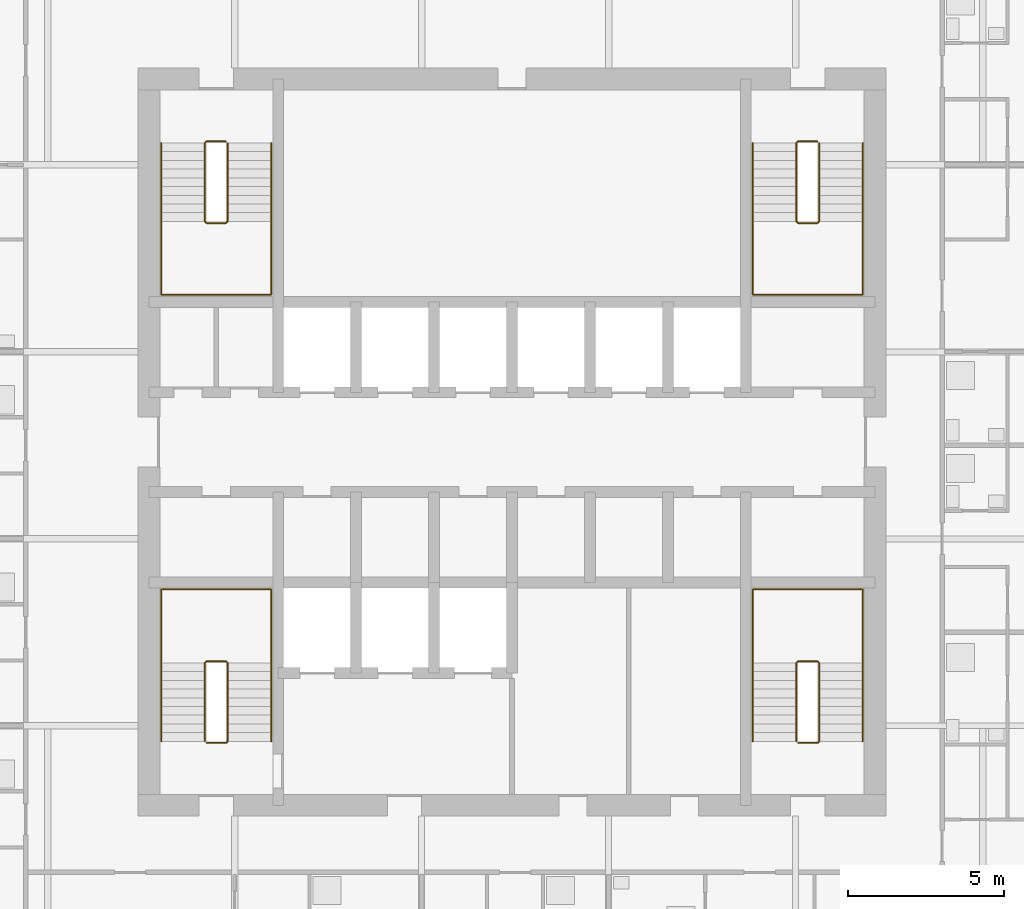
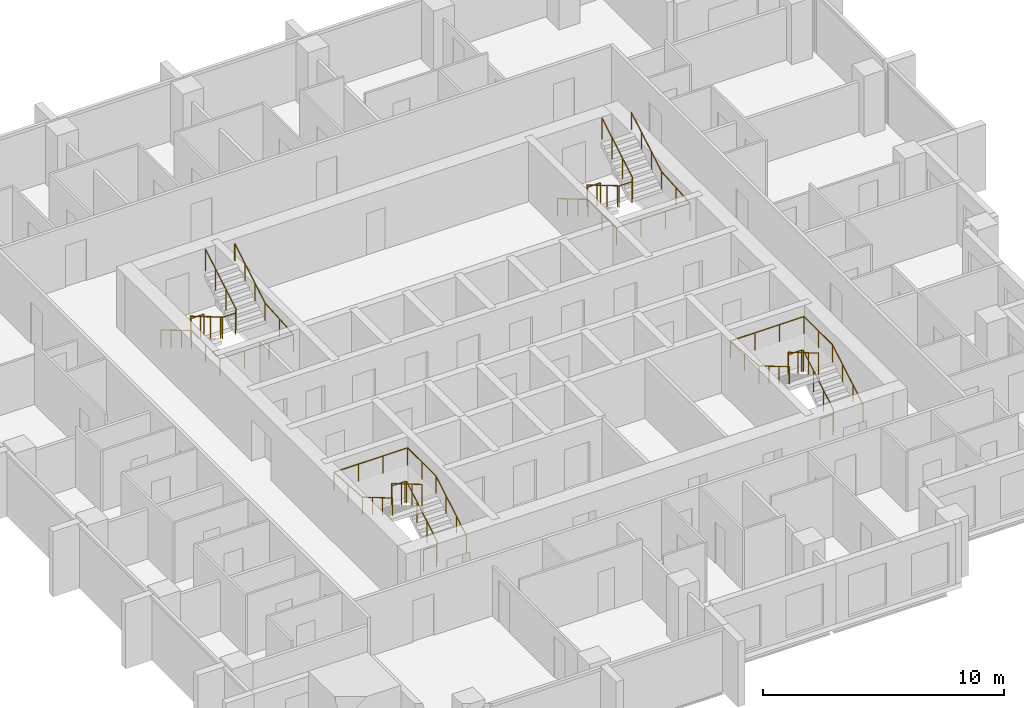
# One storey, part 9 of 10: 8 railings.
"""IFC4 building model written with IfcOpenShell, lengths in metres."""

from ifc_helpers import new_model, si_unit, direction, frame, origin, origin_2d, place, context, subcontext, project, spatial, circle, extrude, material, type_object, element, save


model = new_model("IFC4")

# Units and contexts
model_context = context("Model", 3, precision=1e-05, world=origin(), true_north=direction((0.0, 1.0)))
body_context = subcontext(model_context, "Body", "Model", "MODEL_VIEW")
ifc_project = project(units=[si_unit("LENGTHUNIT", "METRE"), si_unit("AREAUNIT", "SQUARE_METRE"), si_unit("VOLUMEUNIT", "CUBIC_METRE"), si_unit("PLANEANGLEUNIT", "RADIAN"), si_unit("MASSUNIT", "GRAM", prefix="KILO")], contexts=[model_context])

# Site, building, storey
site_placement = place(None, origin())
site = spatial("IfcSite", under=ifc_project, at=site_placement, CompositionType="ELEMENT")
building_placement = place(site_placement, origin())
building = spatial("IfcBuilding", under=site, at=building_placement, Name="Amberfall Residences", CompositionType="ELEMENT")
storey_placement = place(building_placement, frame((0.0, 0.0, 158.199951171875)))
storey = spatial("IfcBuildingStorey", under=building, at=storey_placement, Name="L42", CompositionType="ELEMENT", Elevation=158.199951171875)

# Railings
ifc_material = material(Name="Stainless steel 316", Category="steel")
railing_type_1 = type_object("IfcRailingType", Name="Stair guard 1100", PredefinedType="GUARDRAIL", material=ifc_material)
railing_1_placement = place(storey_placement, frame((64.699951171875, 35.85009765625, 0.0)))
element("IfcRailing", 1, at=railing_1_placement, inside=storey, type_object=railing_type_1, Name="L42 stair 1 guard", PredefinedType="GUARDRAIL", context=body_context, shape_type="SweptSolid", body=[
    extrude(circle(Radius=0.02392578125, at=origin_2d()), frame((0.0, 0.0, 1.076171875), z_axis=(1.0, 0.0, 0.0), x_axis=(0.0, 1.0, 0.0)), (0.0, 0.0, 1.0), 0.625),
    extrude(circle(Radius=0.02392578125, at=origin_2d()), frame((0.625, 0.0, 1.076171875), z_axis=(0.278810427259, 0.277450376394, 0.919394384522), x_axis=(-0.705375805398, 0.708833529934, 0.0)), (0.0, 0.0, 1.0), 0.179443359375),
    extrude(circle(Radius=0.02392578125, at=origin_2d()), frame((0.675048828125, 0.0498046875, 1.2412109375), z_axis=(0.0, 0.86152411907, 0.507716645641), x_axis=(-1.0, 0.0, 0.0)), (0.0, 0.0, 1.0), 2.925048828125),
    extrude(circle(Radius=0.02392578125, at=origin_2d()), frame((0.675048828125, 2.56982421875, 2.72607421875), z_axis=(-0.707106781187, 0.707106781187, 0.0), x_axis=(-0.707106781187, -0.707106781187, 0.0)), (0.0, 0.0, 1.0), 0.07080078125),
    extrude(circle(Radius=0.02392578125, at=origin_2d()), frame((0.625, 2.619873046875, 2.72607421875), z_axis=(-1.0, 0.0, 0.0), x_axis=(0.0, -1.0, 0.0)), (0.0, 0.0, 1.0), 0.625),
    extrude(circle(Radius=0.02392578125, at=origin_2d()), frame((0.0, 2.619873046875, 2.72607421875), z_axis=(-0.279053652268, -0.279053652268, 0.918835196492), x_axis=(0.707106781187, -0.707106781187, 0.0)), (0.0, 0.0, 1.0), 0.179443359375),
    extrude(circle(Radius=0.02392578125, at=origin_2d()), frame((-0.050048828125, 2.56982421875, 2.89111328125), z_axis=(0.0, -0.86152411907, 0.507716645641), x_axis=(1.0, 0.0, 0.0)), (0.0, 0.0, 1.0), 2.925048828125),
    extrude(circle(Radius=0.02099609375, at=origin_2d()), origin(), (0.0, 0.0, 1.0), 1.052001953125),
    extrude(circle(Radius=0.02099609375, at=origin_2d()), frame((0.625, 0.0, 0.0)), (0.0, 0.0, 1.0), 1.052001953125),
    extrude(circle(Radius=0.02099609375, at=origin_2d()), frame((0.675048828125, 0.0498046875, 0.1650390625)), (0.0, 0.0, 1.0), 1.052001953125),
    extrude(circle(Radius=0.02099609375, at=origin_2d()), frame((0.675048828125, 0.889892578125, 0.66015625)), (0.0, 0.0, 1.0), 1.052001953125),
    extrude(circle(Radius=0.02099609375, at=origin_2d()), frame((0.675048828125, 1.729736328125, 1.155029296875)), (0.0, 0.0, 1.0), 1.052001953125),
    extrude(circle(Radius=0.02099609375, at=origin_2d()), frame((0.675048828125, 2.56982421875, 1.650146484375)), (0.0, 0.0, 1.0), 1.052001953125),
    extrude(circle(Radius=0.02099609375, at=origin_2d()), frame((0.625, 2.619873046875, 1.650146484375)), (0.0, 0.0, 1.0), 1.052001953125),
    extrude(circle(Radius=0.02099609375, at=origin_2d()), frame((0.0, 2.619873046875, 1.650146484375)), (0.0, 0.0, 1.0), 1.052001953125),
    extrude(circle(Radius=0.02099609375, at=origin_2d()), frame((-0.050048828125, 2.56982421875, 1.81494140625)), (0.0, 0.0, 1.0), 1.052001953125),
    extrude(circle(Radius=0.02099609375, at=origin_2d()), frame((-0.050048828125, 1.729736328125, 2.31005859375)), (0.0, 0.0, 1.0), 1.052001953125),
    extrude(circle(Radius=0.02099609375, at=origin_2d()), frame((-0.050048828125, 0.889892578125, 2.804931640625)), (0.0, 0.0, 1.0), 1.052001953125),
    extrude(circle(Radius=0.02099609375, at=origin_2d()), frame((-0.050048828125, 0.0498046875, 3.300048828125)), (0.0, 0.0, 1.0), 1.052001953125),
])
railing_2_placement = place(storey_placement, frame((83.675048828125, 35.85009765625, 0.0)))
element("IfcRailing", 2, at=railing_2_placement, inside=storey, type_object=railing_type_1, Name="L42 stair 2 guard", PredefinedType="GUARDRAIL", context=body_context, shape_type="SweptSolid", body=[
    extrude(circle(Radius=0.02392578125, at=origin_2d()), frame((0.0, 0.0, 1.076171875), z_axis=(1.0, 0.0, 0.0), x_axis=(0.0, 1.0, 0.0)), (0.0, 0.0, 1.0), 0.625),
    extrude(circle(Radius=0.02392578125, at=origin_2d()), frame((0.625, 0.0, 1.076171875), z_axis=(0.278810427259, 0.277450376394, 0.919394384522), x_axis=(-0.705375805398, 0.708833529934, 0.0)), (0.0, 0.0, 1.0), 0.179443359375),
    extrude(circle(Radius=0.02392578125, at=origin_2d()), frame((0.675048828125, 0.0498046875, 1.2412109375), z_axis=(0.0, 0.86152411907, 0.507716645641), x_axis=(-1.0, 0.0, 0.0)), (0.0, 0.0, 1.0), 2.925048828125),
    extrude(circle(Radius=0.02392578125, at=origin_2d()), frame((0.675048828125, 2.56982421875, 2.72607421875), z_axis=(-0.707106781187, 0.707106781187, 0.0), x_axis=(-0.707106781187, -0.707106781187, 0.0)), (0.0, 0.0, 1.0), 0.07080078125),
    extrude(circle(Radius=0.02392578125, at=origin_2d()), frame((0.625, 2.619873046875, 2.72607421875), z_axis=(-1.0, 0.0, 0.0), x_axis=(0.0, -1.0, 0.0)), (0.0, 0.0, 1.0), 0.625),
    extrude(circle(Radius=0.02392578125, at=origin_2d()), frame((0.0, 2.619873046875, 2.72607421875), z_axis=(-0.279053652268, -0.279053652268, 0.918835196492), x_axis=(0.707106781187, -0.707106781187, 0.0)), (0.0, 0.0, 1.0), 0.179443359375),
    extrude(circle(Radius=0.02392578125, at=origin_2d()), frame((-0.050048828125, 2.56982421875, 2.89111328125), z_axis=(0.0, -0.86152411907, 0.507716645641), x_axis=(1.0, 0.0, 0.0)), (0.0, 0.0, 1.0), 2.925048828125),
    extrude(circle(Radius=0.02099609375, at=origin_2d()), origin(), (0.0, 0.0, 1.0), 1.052001953125),
    extrude(circle(Radius=0.02099609375, at=origin_2d()), frame((0.625, 0.0, 0.0)), (0.0, 0.0, 1.0), 1.052001953125),
    extrude(circle(Radius=0.02099609375, at=origin_2d()), frame((0.675048828125, 0.0498046875, 0.1650390625)), (0.0, 0.0, 1.0), 1.052001953125),
    extrude(circle(Radius=0.02099609375, at=origin_2d()), frame((0.675048828125, 0.889892578125, 0.66015625)), (0.0, 0.0, 1.0), 1.052001953125),
    extrude(circle(Radius=0.02099609375, at=origin_2d()), frame((0.675048828125, 1.729736328125, 1.155029296875)), (0.0, 0.0, 1.0), 1.052001953125),
    extrude(circle(Radius=0.02099609375, at=origin_2d()), frame((0.675048828125, 2.56982421875, 1.650146484375)), (0.0, 0.0, 1.0), 1.052001953125),
    extrude(circle(Radius=0.02099609375, at=origin_2d()), frame((0.625, 2.619873046875, 1.650146484375)), (0.0, 0.0, 1.0), 1.052001953125),
    extrude(circle(Radius=0.02099609375, at=origin_2d()), frame((0.0, 2.619873046875, 1.650146484375)), (0.0, 0.0, 1.0), 1.052001953125),
    extrude(circle(Radius=0.02099609375, at=origin_2d()), frame((-0.050048828125, 2.56982421875, 1.81494140625)), (0.0, 0.0, 1.0), 1.052001953125),
    extrude(circle(Radius=0.02099609375, at=origin_2d()), frame((-0.050048828125, 1.729736328125, 2.31005859375)), (0.0, 0.0, 1.0), 1.052001953125),
    extrude(circle(Radius=0.02099609375, at=origin_2d()), frame((-0.050048828125, 0.889892578125, 2.804931640625)), (0.0, 0.0, 1.0), 1.052001953125),
    extrude(circle(Radius=0.02099609375, at=origin_2d()), frame((-0.050048828125, 0.0498046875, 3.300048828125)), (0.0, 0.0, 1.0), 1.052001953125),
])
railing_3_placement = place(storey_placement, frame((84.300048828125, 55.14990234375, 0.0)))
element("IfcRailing", 3, at=railing_3_placement, inside=storey, type_object=railing_type_1, Name="L42 stair 3 guard", PredefinedType="GUARDRAIL", context=body_context, shape_type="SweptSolid", body=[
    extrude(circle(Radius=0.02392578125, at=origin_2d()), frame((0.0, 0.0, 1.076171875), z_axis=(-1.0, 0.0, 0.0), x_axis=(0.0, -1.0, 0.0)), (0.0, 0.0, 1.0), 0.625),
    extrude(circle(Radius=0.02392578125, at=origin_2d()), frame((-0.625, 0.0, 1.076171875), z_axis=(-0.278810427259, -0.277450376394, 0.919394384522), x_axis=(0.705375805398, -0.708833529934, 0.0)), (0.0, 0.0, 1.0), 0.179443359375),
    extrude(circle(Radius=0.02392578125, at=origin_2d()), frame((-0.675048828125, -0.0498046875, 1.2412109375), z_axis=(0.0, -0.86152411907, 0.507716645641), x_axis=(1.0, 0.0, 0.0)), (0.0, 0.0, 1.0), 2.925048828125),
    extrude(circle(Radius=0.02392578125, at=origin_2d()), frame((-0.675048828125, -2.56982421875, 2.72607421875), z_axis=(0.707106781187, -0.707106781187, 0.0), x_axis=(0.707106781187, 0.707106781187, 0.0)), (0.0, 0.0, 1.0), 0.07080078125),
    extrude(circle(Radius=0.02392578125, at=origin_2d()), frame((-0.625, -2.619873046875, 2.72607421875), z_axis=(1.0, 0.0, 0.0), x_axis=(0.0, 1.0, 0.0)), (0.0, 0.0, 1.0), 0.625),
    extrude(circle(Radius=0.02392578125, at=origin_2d()), frame((0.0, -2.619873046875, 2.72607421875), z_axis=(0.279053652268, 0.279053652268, 0.918835196492), x_axis=(-0.707106781187, 0.707106781187, 0.0)), (0.0, 0.0, 1.0), 0.179443359375),
    extrude(circle(Radius=0.02392578125, at=origin_2d()), frame((0.050048828125, -2.56982421875, 2.89111328125), z_axis=(0.0, 0.86152411907, 0.507716645641), x_axis=(-1.0, 0.0, 0.0)), (0.0, 0.0, 1.0), 2.925048828125),
    extrude(circle(Radius=0.02099609375, at=origin_2d()), origin(), (0.0, 0.0, 1.0), 1.052001953125),
    extrude(circle(Radius=0.02099609375, at=origin_2d()), frame((-0.625, 0.0, 0.0)), (0.0, 0.0, 1.0), 1.052001953125),
    extrude(circle(Radius=0.02099609375, at=origin_2d()), frame((-0.675048828125, -0.0498046875, 0.1650390625)), (0.0, 0.0, 1.0), 1.052001953125),
    extrude(circle(Radius=0.02099609375, at=origin_2d()), frame((-0.675048828125, -0.889892578125, 0.66015625)), (0.0, 0.0, 1.0), 1.052001953125),
    extrude(circle(Radius=0.02099609375, at=origin_2d()), frame((-0.675048828125, -1.729736328125, 1.155029296875)), (0.0, 0.0, 1.0), 1.052001953125),
    extrude(circle(Radius=0.02099609375, at=origin_2d()), frame((-0.675048828125, -2.56982421875, 1.650146484375)), (0.0, 0.0, 1.0), 1.052001953125),
    extrude(circle(Radius=0.02099609375, at=origin_2d()), frame((-0.625, -2.619873046875, 1.650146484375)), (0.0, 0.0, 1.0), 1.052001953125),
    extrude(circle(Radius=0.02099609375, at=origin_2d()), frame((0.0, -2.619873046875, 1.650146484375)), (0.0, 0.0, 1.0), 1.052001953125),
    extrude(circle(Radius=0.02099609375, at=origin_2d()), frame((0.050048828125, -2.56982421875, 1.81494140625)), (0.0, 0.0, 1.0), 1.052001953125),
    extrude(circle(Radius=0.02099609375, at=origin_2d()), frame((0.050048828125, -1.729736328125, 2.31005859375)), (0.0, 0.0, 1.0), 1.052001953125),
    extrude(circle(Radius=0.02099609375, at=origin_2d()), frame((0.050048828125, -0.889892578125, 2.804931640625)), (0.0, 0.0, 1.0), 1.052001953125),
    extrude(circle(Radius=0.02099609375, at=origin_2d()), frame((0.050048828125, -0.0498046875, 3.300048828125)), (0.0, 0.0, 1.0), 1.052001953125),
])
railing_4_placement = place(storey_placement, frame((65.324951171875, 55.14990234375, 0.0)))
element("IfcRailing", 4, at=railing_4_placement, inside=storey, type_object=railing_type_1, Name="L42 stair 4 guard", PredefinedType="GUARDRAIL", context=body_context, shape_type="SweptSolid", body=[
    extrude(circle(Radius=0.02392578125, at=origin_2d()), frame((0.0, 0.0, 1.076171875), z_axis=(-1.0, 0.0, 0.0), x_axis=(0.0, -1.0, 0.0)), (0.0, 0.0, 1.0), 0.625),
    extrude(circle(Radius=0.02392578125, at=origin_2d()), frame((-0.625, 0.0, 1.076171875), z_axis=(-0.278810427259, -0.277450376394, 0.919394384522), x_axis=(0.705375805398, -0.708833529934, 0.0)), (0.0, 0.0, 1.0), 0.179443359375),
    extrude(circle(Radius=0.02392578125, at=origin_2d()), frame((-0.675048828125, -0.0498046875, 1.2412109375), z_axis=(0.0, -0.86152411907, 0.507716645641), x_axis=(1.0, 0.0, 0.0)), (0.0, 0.0, 1.0), 2.925048828125),
    extrude(circle(Radius=0.02392578125, at=origin_2d()), frame((-0.675048828125, -2.56982421875, 2.72607421875), z_axis=(0.707106781187, -0.707106781187, 0.0), x_axis=(0.707106781187, 0.707106781187, 0.0)), (0.0, 0.0, 1.0), 0.07080078125),
    extrude(circle(Radius=0.02392578125, at=origin_2d()), frame((-0.625, -2.619873046875, 2.72607421875), z_axis=(1.0, 0.0, 0.0), x_axis=(0.0, 1.0, 0.0)), (0.0, 0.0, 1.0), 0.625),
    extrude(circle(Radius=0.02392578125, at=origin_2d()), frame((0.0, -2.619873046875, 2.72607421875), z_axis=(0.279053652268, 0.279053652268, 0.918835196492), x_axis=(-0.707106781187, 0.707106781187, 0.0)), (0.0, 0.0, 1.0), 0.179443359375),
    extrude(circle(Radius=0.02392578125, at=origin_2d()), frame((0.050048828125, -2.56982421875, 2.89111328125), z_axis=(0.0, 0.86152411907, 0.507716645641), x_axis=(-1.0, 0.0, 0.0)), (0.0, 0.0, 1.0), 2.925048828125),
    extrude(circle(Radius=0.02099609375, at=origin_2d()), origin(), (0.0, 0.0, 1.0), 1.052001953125),
    extrude(circle(Radius=0.02099609375, at=origin_2d()), frame((-0.625, 0.0, 0.0)), (0.0, 0.0, 1.0), 1.052001953125),
    extrude(circle(Radius=0.02099609375, at=origin_2d()), frame((-0.675048828125, -0.0498046875, 0.1650390625)), (0.0, 0.0, 1.0), 1.052001953125),
    extrude(circle(Radius=0.02099609375, at=origin_2d()), frame((-0.675048828125, -0.889892578125, 0.66015625)), (0.0, 0.0, 1.0), 1.052001953125),
    extrude(circle(Radius=0.02099609375, at=origin_2d()), frame((-0.675048828125, -1.729736328125, 1.155029296875)), (0.0, 0.0, 1.0), 1.052001953125),
    extrude(circle(Radius=0.02099609375, at=origin_2d()), frame((-0.675048828125, -2.56982421875, 1.650146484375)), (0.0, 0.0, 1.0), 1.052001953125),
    extrude(circle(Radius=0.02099609375, at=origin_2d()), frame((-0.625, -2.619873046875, 1.650146484375)), (0.0, 0.0, 1.0), 1.052001953125),
    extrude(circle(Radius=0.02099609375, at=origin_2d()), frame((0.0, -2.619873046875, 1.650146484375)), (0.0, 0.0, 1.0), 1.052001953125),
    extrude(circle(Radius=0.02099609375, at=origin_2d()), frame((0.050048828125, -2.56982421875, 1.81494140625)), (0.0, 0.0, 1.0), 1.052001953125),
    extrude(circle(Radius=0.02099609375, at=origin_2d()), frame((0.050048828125, -1.729736328125, 2.31005859375)), (0.0, 0.0, 1.0), 1.052001953125),
    extrude(circle(Radius=0.02099609375, at=origin_2d()), frame((0.050048828125, -0.889892578125, 2.804931640625)), (0.0, 0.0, 1.0), 1.052001953125),
    extrude(circle(Radius=0.02099609375, at=origin_2d()), frame((0.050048828125, -0.0498046875, 3.300048828125)), (0.0, 0.0, 1.0), 1.052001953125),
])
railing_type_2 = type_object("IfcRailingType", Name="Stair handrail 900", PredefinedType="HANDRAIL", material=ifc_material)
railing_5_placement = place(storey_placement, frame((66.77490234375, 35.89990234375, 0.1650390625)))
element("IfcRailing", 5, at=railing_5_placement, inside=storey, type_object=railing_type_2, Name="L42 stair 1 handrail", PredefinedType="HANDRAIL", context=body_context, shape_type="SweptSolid", body=[
    extrude(circle(Radius=0.02392578125, at=origin_2d()), frame((0.0, 0.0, 0.8759765625), z_axis=(0.0, 0.86152411907, 0.507716645641), x_axis=(-1.0, 0.0, 0.0)), (0.0, 0.0, 1.0), 2.925048828125),
    extrude(circle(Radius=0.02392578125, at=origin_2d()), frame((0.0, 2.52001953125, 2.36083984375), z_axis=(0.0, 1.0, 0.0), x_axis=(-1.0, 0.0, 0.0)), (0.0, 0.0, 1.0), 2.35498046875),
    extrude(circle(Radius=0.02392578125, at=origin_2d()), frame((0.0, 4.875, 2.36083984375), z_axis=(-1.0, 0.0, 0.0), x_axis=(0.0, -1.0, 0.0)), (0.0, 0.0, 1.0), 3.52490234375),
    extrude(circle(Radius=0.02392578125, at=origin_2d()), frame((-3.52490234375, 4.875, 2.36083984375), z_axis=(0.0, -0.997560551741, 0.069806486878), x_axis=(1.0, 0.0, 0.0)), (0.0, 0.0, 1.0), 2.36083984375),
    extrude(circle(Radius=0.02392578125, at=origin_2d()), frame((-3.52490234375, 2.52001953125, 2.52587890625), z_axis=(0.0, -0.86152411907, 0.507716645641), x_axis=(1.0, 0.0, 0.0)), (0.0, 0.0, 1.0), 2.925048828125),
    extrude(circle(Radius=0.02099609375, at=origin_2d()), origin(), (0.0, 0.0, 1.0), 0.851806640625),
    extrude(circle(Radius=0.02099609375, at=origin_2d()), frame((0.0, 0.840087890625, 0.4951171875)), (0.0, 0.0, 1.0), 0.851806640625),
    extrude(circle(Radius=0.02099609375, at=origin_2d()), frame((0.0, 1.679931640625, 0.989990234375)), (0.0, 0.0, 1.0), 0.851806640625),
    extrude(circle(Radius=0.02099609375, at=origin_2d()), frame((0.0, 2.52001953125, 1.485107421875)), (0.0, 0.0, 1.0), 0.851806640625),
    extrude(circle(Radius=0.02099609375, at=origin_2d()), frame((0.0, 3.697509765625, 1.485107421875)), (0.0, 0.0, 1.0), 0.851806640625),
    extrude(circle(Radius=0.02099609375, at=origin_2d()), frame((0.0, 4.875, 1.485107421875)), (0.0, 0.0, 1.0), 0.851806640625),
    extrude(circle(Radius=0.02099609375, at=origin_2d()), frame((-1.175048828125, 4.875, 1.485107421875)), (0.0, 0.0, 1.0), 0.851806640625),
    extrude(circle(Radius=0.02099609375, at=origin_2d()), frame((-2.349853515625, 4.875, 1.485107421875)), (0.0, 0.0, 1.0), 0.851806640625),
    extrude(circle(Radius=0.02099609375, at=origin_2d()), frame((-3.52490234375, 4.875, 1.485107421875)), (0.0, 0.0, 1.0), 0.851806640625),
    extrude(circle(Radius=0.02099609375, at=origin_2d()), frame((-3.52490234375, 3.697509765625, 1.5673828125)), (0.0, 0.0, 1.0), 0.851806640625),
    extrude(circle(Radius=0.02099609375, at=origin_2d()), frame((-3.52490234375, 2.52001953125, 1.64990234375)), (0.0, 0.0, 1.0), 0.851806640625),
    extrude(circle(Radius=0.02099609375, at=origin_2d()), frame((-3.52490234375, 1.679931640625, 2.14501953125)), (0.0, 0.0, 1.0), 0.851806640625),
    extrude(circle(Radius=0.02099609375, at=origin_2d()), frame((-3.52490234375, 0.840087890625, 2.639892578125)), (0.0, 0.0, 1.0), 0.851806640625),
    extrude(circle(Radius=0.02099609375, at=origin_2d()), frame((-3.52490234375, 0.0, 3.135009765625)), (0.0, 0.0, 1.0), 0.851806640625),
])
railing_6_placement = place(storey_placement, frame((85.75, 35.89990234375, 0.1650390625)))
element("IfcRailing", 6, at=railing_6_placement, inside=storey, type_object=railing_type_2, Name="L42 stair 2 handrail", PredefinedType="HANDRAIL", context=body_context, shape_type="SweptSolid", body=[
    extrude(circle(Radius=0.02392578125, at=origin_2d()), frame((0.0, 0.0, 0.8759765625), z_axis=(0.0, 0.86152411907, 0.507716645641), x_axis=(-1.0, 0.0, 0.0)), (0.0, 0.0, 1.0), 2.925048828125),
    extrude(circle(Radius=0.02392578125, at=origin_2d()), frame((0.0, 2.52001953125, 2.36083984375), z_axis=(0.0, 1.0, 0.0), x_axis=(-1.0, 0.0, 0.0)), (0.0, 0.0, 1.0), 2.35498046875),
    extrude(circle(Radius=0.02392578125, at=origin_2d()), frame((0.0, 4.875, 2.36083984375), z_axis=(-1.0, 0.0, 0.0), x_axis=(0.0, -1.0, 0.0)), (0.0, 0.0, 1.0), 3.52490234375),
    extrude(circle(Radius=0.02392578125, at=origin_2d()), frame((-3.52490234375, 4.875, 2.36083984375), z_axis=(0.0, -0.997560551741, 0.069806486878), x_axis=(1.0, 0.0, 0.0)), (0.0, 0.0, 1.0), 2.36083984375),
    extrude(circle(Radius=0.02392578125, at=origin_2d()), frame((-3.52490234375, 2.52001953125, 2.52587890625), z_axis=(0.0, -0.86152411907, 0.507716645641), x_axis=(1.0, 0.0, 0.0)), (0.0, 0.0, 1.0), 2.925048828125),
    extrude(circle(Radius=0.02099609375, at=origin_2d()), origin(), (0.0, 0.0, 1.0), 0.851806640625),
    extrude(circle(Radius=0.02099609375, at=origin_2d()), frame((0.0, 0.840087890625, 0.4951171875)), (0.0, 0.0, 1.0), 0.851806640625),
    extrude(circle(Radius=0.02099609375, at=origin_2d()), frame((0.0, 1.679931640625, 0.989990234375)), (0.0, 0.0, 1.0), 0.851806640625),
    extrude(circle(Radius=0.02099609375, at=origin_2d()), frame((0.0, 2.52001953125, 1.485107421875)), (0.0, 0.0, 1.0), 0.851806640625),
    extrude(circle(Radius=0.02099609375, at=origin_2d()), frame((0.0, 3.697509765625, 1.485107421875)), (0.0, 0.0, 1.0), 0.851806640625),
    extrude(circle(Radius=0.02099609375, at=origin_2d()), frame((0.0, 4.875, 1.485107421875)), (0.0, 0.0, 1.0), 0.851806640625),
    extrude(circle(Radius=0.02099609375, at=origin_2d()), frame((-1.175048828125, 4.875, 1.485107421875)), (0.0, 0.0, 1.0), 0.851806640625),
    extrude(circle(Radius=0.02099609375, at=origin_2d()), frame((-2.349853515625, 4.875, 1.485107421875)), (0.0, 0.0, 1.0), 0.851806640625),
    extrude(circle(Radius=0.02099609375, at=origin_2d()), frame((-3.52490234375, 4.875, 1.485107421875)), (0.0, 0.0, 1.0), 0.851806640625),
    extrude(circle(Radius=0.02099609375, at=origin_2d()), frame((-3.52490234375, 3.697509765625, 1.5673828125)), (0.0, 0.0, 1.0), 0.851806640625),
    extrude(circle(Radius=0.02099609375, at=origin_2d()), frame((-3.52490234375, 2.52001953125, 1.64990234375)), (0.0, 0.0, 1.0), 0.851806640625),
    extrude(circle(Radius=0.02099609375, at=origin_2d()), frame((-3.52490234375, 1.679931640625, 2.14501953125)), (0.0, 0.0, 1.0), 0.851806640625),
    extrude(circle(Radius=0.02099609375, at=origin_2d()), frame((-3.52490234375, 0.840087890625, 2.639892578125)), (0.0, 0.0, 1.0), 0.851806640625),
    extrude(circle(Radius=0.02099609375, at=origin_2d()), frame((-3.52490234375, 0.0, 3.135009765625)), (0.0, 0.0, 1.0), 0.851806640625),
])
railing_7_placement = place(storey_placement, frame((82.22509765625, 55.10009765625, 0.1650390625)))
element("IfcRailing", 7, at=railing_7_placement, inside=storey, type_object=railing_type_2, Name="L42 stair 3 handrail", PredefinedType="HANDRAIL", context=body_context, shape_type="SweptSolid", body=[
    extrude(circle(Radius=0.02392578125, at=origin_2d()), frame((0.0, 0.0, 0.8759765625), z_axis=(0.0, -0.86152411907, 0.507716645641), x_axis=(1.0, 0.0, 0.0)), (0.0, 0.0, 1.0), 2.925048828125),
    extrude(circle(Radius=0.02392578125, at=origin_2d()), frame((0.0, -2.52001953125, 2.36083984375), z_axis=(0.0, -1.0, 0.0), x_axis=(1.0, 0.0, 0.0)), (0.0, 0.0, 1.0), 2.35498046875),
    extrude(circle(Radius=0.02392578125, at=origin_2d()), frame((0.0, -4.875, 2.36083984375), z_axis=(1.0, 0.0, 0.0), x_axis=(0.0, 1.0, 0.0)), (0.0, 0.0, 1.0), 3.52490234375),
    extrude(circle(Radius=0.02392578125, at=origin_2d()), frame((3.52490234375, -4.875, 2.36083984375), z_axis=(0.0, 0.997560551741, 0.069806486878), x_axis=(-1.0, 0.0, 0.0)), (0.0, 0.0, 1.0), 2.36083984375),
    extrude(circle(Radius=0.02392578125, at=origin_2d()), frame((3.52490234375, -2.52001953125, 2.52587890625), z_axis=(0.0, 0.86152411907, 0.507716645641), x_axis=(-1.0, 0.0, 0.0)), (0.0, 0.0, 1.0), 2.925048828125),
    extrude(circle(Radius=0.02099609375, at=origin_2d()), origin(), (0.0, 0.0, 1.0), 0.851806640625),
    extrude(circle(Radius=0.02099609375, at=origin_2d()), frame((0.0, -0.840087890625, 0.4951171875)), (0.0, 0.0, 1.0), 0.851806640625),
    extrude(circle(Radius=0.02099609375, at=origin_2d()), frame((0.0, -1.679931640625, 0.989990234375)), (0.0, 0.0, 1.0), 0.851806640625),
    extrude(circle(Radius=0.02099609375, at=origin_2d()), frame((0.0, -2.52001953125, 1.485107421875)), (0.0, 0.0, 1.0), 0.851806640625),
    extrude(circle(Radius=0.02099609375, at=origin_2d()), frame((0.0, -3.697509765625, 1.485107421875)), (0.0, 0.0, 1.0), 0.851806640625),
    extrude(circle(Radius=0.02099609375, at=origin_2d()), frame((0.0, -4.875, 1.485107421875)), (0.0, 0.0, 1.0), 0.851806640625),
    extrude(circle(Radius=0.02099609375, at=origin_2d()), frame((1.175048828125, -4.875, 1.485107421875)), (0.0, 0.0, 1.0), 0.851806640625),
    extrude(circle(Radius=0.02099609375, at=origin_2d()), frame((2.349853515625, -4.875, 1.485107421875)), (0.0, 0.0, 1.0), 0.851806640625),
    extrude(circle(Radius=0.02099609375, at=origin_2d()), frame((3.52490234375, -4.875, 1.485107421875)), (0.0, 0.0, 1.0), 0.851806640625),
    extrude(circle(Radius=0.02099609375, at=origin_2d()), frame((3.52490234375, -3.697509765625, 1.5673828125)), (0.0, 0.0, 1.0), 0.851806640625),
    extrude(circle(Radius=0.02099609375, at=origin_2d()), frame((3.52490234375, -2.52001953125, 1.64990234375)), (0.0, 0.0, 1.0), 0.851806640625),
    extrude(circle(Radius=0.02099609375, at=origin_2d()), frame((3.52490234375, -1.679931640625, 2.14501953125)), (0.0, 0.0, 1.0), 0.851806640625),
    extrude(circle(Radius=0.02099609375, at=origin_2d()), frame((3.52490234375, -0.840087890625, 2.639892578125)), (0.0, 0.0, 1.0), 0.851806640625),
    extrude(circle(Radius=0.02099609375, at=origin_2d()), frame((3.52490234375, 0.0, 3.135009765625)), (0.0, 0.0, 1.0), 0.851806640625),
])
railing_8_placement = place(storey_placement, frame((63.25, 55.10009765625, 0.1650390625)))
element("IfcRailing", 8, at=railing_8_placement, inside=storey, type_object=railing_type_2, Name="L42 stair 4 handrail", PredefinedType="HANDRAIL", context=body_context, shape_type="SweptSolid", body=[
    extrude(circle(Radius=0.02392578125, at=origin_2d()), frame((0.0, 0.0, 0.8759765625), z_axis=(0.0, -0.86152411907, 0.507716645641), x_axis=(1.0, 0.0, 0.0)), (0.0, 0.0, 1.0), 2.925048828125),
    extrude(circle(Radius=0.02392578125, at=origin_2d()), frame((0.0, -2.52001953125, 2.36083984375), z_axis=(0.0, -1.0, 0.0), x_axis=(1.0, 0.0, 0.0)), (0.0, 0.0, 1.0), 2.35498046875),
    extrude(circle(Radius=0.02392578125, at=origin_2d()), frame((0.0, -4.875, 2.36083984375), z_axis=(1.0, 0.0, 0.0), x_axis=(0.0, 1.0, 0.0)), (0.0, 0.0, 1.0), 3.52490234375),
    extrude(circle(Radius=0.02392578125, at=origin_2d()), frame((3.52490234375, -4.875, 2.36083984375), z_axis=(0.0, 0.997560551741, 0.069806486878), x_axis=(-1.0, 0.0, 0.0)), (0.0, 0.0, 1.0), 2.36083984375),
    extrude(circle(Radius=0.02392578125, at=origin_2d()), frame((3.52490234375, -2.52001953125, 2.52587890625), z_axis=(0.0, 0.86152411907, 0.507716645641), x_axis=(-1.0, 0.0, 0.0)), (0.0, 0.0, 1.0), 2.925048828125),
    extrude(circle(Radius=0.02099609375, at=origin_2d()), origin(), (0.0, 0.0, 1.0), 0.851806640625),
    extrude(circle(Radius=0.02099609375, at=origin_2d()), frame((0.0, -0.840087890625, 0.4951171875)), (0.0, 0.0, 1.0), 0.851806640625),
    extrude(circle(Radius=0.02099609375, at=origin_2d()), frame((0.0, -1.679931640625, 0.989990234375)), (0.0, 0.0, 1.0), 0.851806640625),
    extrude(circle(Radius=0.02099609375, at=origin_2d()), frame((0.0, -2.52001953125, 1.485107421875)), (0.0, 0.0, 1.0), 0.851806640625),
    extrude(circle(Radius=0.02099609375, at=origin_2d()), frame((0.0, -3.697509765625, 1.485107421875)), (0.0, 0.0, 1.0), 0.851806640625),
    extrude(circle(Radius=0.02099609375, at=origin_2d()), frame((0.0, -4.875, 1.485107421875)), (0.0, 0.0, 1.0), 0.851806640625),
    extrude(circle(Radius=0.02099609375, at=origin_2d()), frame((1.175048828125, -4.875, 1.485107421875)), (0.0, 0.0, 1.0), 0.851806640625),
    extrude(circle(Radius=0.02099609375, at=origin_2d()), frame((2.349853515625, -4.875, 1.485107421875)), (0.0, 0.0, 1.0), 0.851806640625),
    extrude(circle(Radius=0.02099609375, at=origin_2d()), frame((3.52490234375, -4.875, 1.485107421875)), (0.0, 0.0, 1.0), 0.851806640625),
    extrude(circle(Radius=0.02099609375, at=origin_2d()), frame((3.52490234375, -3.697509765625, 1.5673828125)), (0.0, 0.0, 1.0), 0.851806640625),
    extrude(circle(Radius=0.02099609375, at=origin_2d()), frame((3.52490234375, -2.52001953125, 1.64990234375)), (0.0, 0.0, 1.0), 0.851806640625),
    extrude(circle(Radius=0.02099609375, at=origin_2d()), frame((3.52490234375, -1.679931640625, 2.14501953125)), (0.0, 0.0, 1.0), 0.851806640625),
    extrude(circle(Radius=0.02099609375, at=origin_2d()), frame((3.52490234375, -0.840087890625, 2.639892578125)), (0.0, 0.0, 1.0), 0.851806640625),
    extrude(circle(Radius=0.02099609375, at=origin_2d()), frame((3.52490234375, 0.0, 3.135009765625)), (0.0, 0.0, 1.0), 0.851806640625),
])

save(model, "model.ifc")
